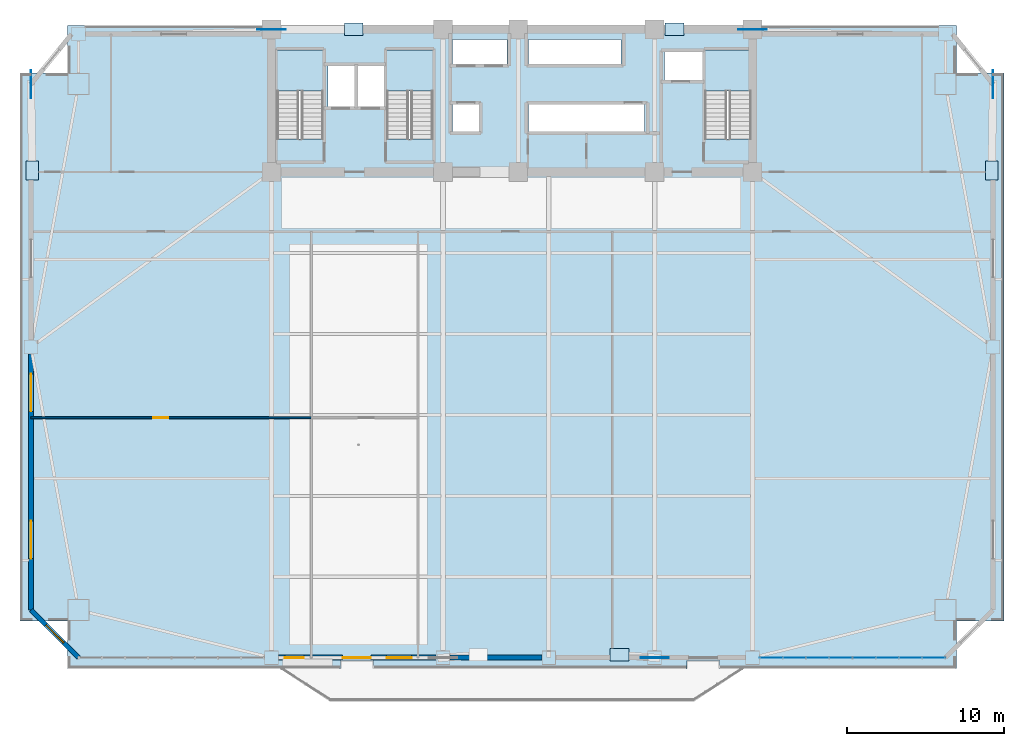
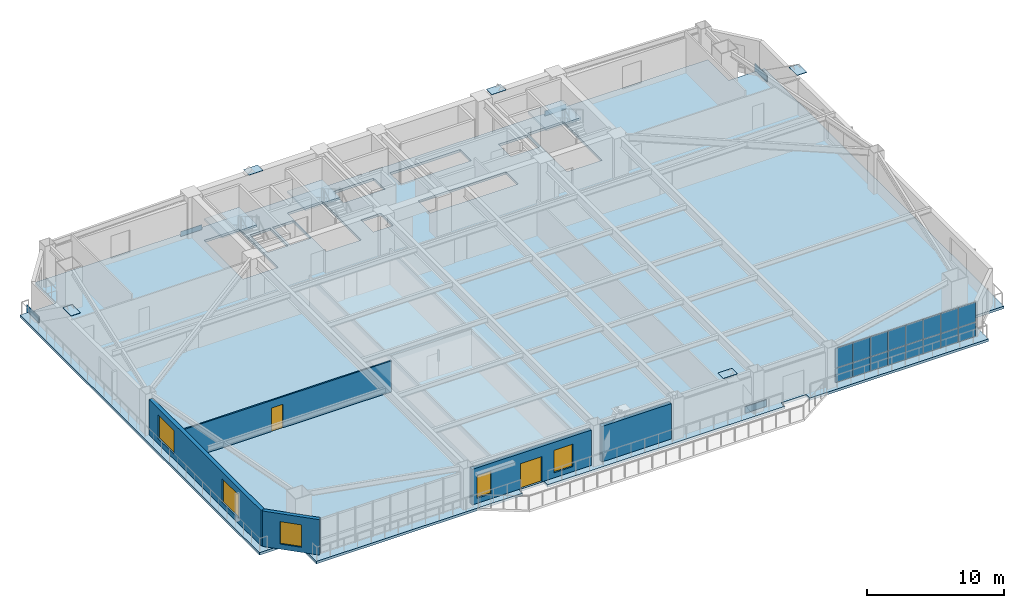
# One storey, part 7 of 15: 26 plates, 5 walls, 5 windows, 4 slabs, 2 doors, 7 openings, 4 elements without a shape of their own.
"""IFC4 building model written with IfcOpenShell, lengths in metres."""

from ifc_helpers import new_model, si_unit, direction, frame, frame_2d, origin, origin_2d, place, context, subcontext, project, spatial, polyline, rectangle, outline, extrude, source, transform, mapped, material, layer, layer_set, type_object, element, fill, aggregate, save


model = new_model("IFC4")

# Units and contexts
model_context = context("Model", 3, precision=1e-05, world=origin(), true_north=direction((0.0, 1.0)))
body_context = subcontext(model_context, "Body", "Model", "MODEL_VIEW")
ifc_project = project(units=[si_unit("LENGTHUNIT", "METRE"), si_unit("AREAUNIT", "SQUARE_METRE"), si_unit("VOLUMEUNIT", "CUBIC_METRE"), si_unit("PLANEANGLEUNIT", "RADIAN"), si_unit("MASSUNIT", "GRAM", prefix="KILO")], contexts=[model_context])

# Site, building, storey
site_placement = place(None, origin())
site = spatial("IfcSite", under=ifc_project, at=site_placement, CompositionType="ELEMENT")
building_placement = place(site_placement, origin())
building = spatial("IfcBuilding", under=site, at=building_placement, Name="Giltprow Tower", CompositionType="ELEMENT")
storey_placement = place(building_placement, frame((0.0, 0.0, 99.699951171875)))
storey = spatial("IfcBuildingStorey", under=building, at=storey_placement, Name="L24", CompositionType="ELEMENT", Elevation=99.699951171875)

# Slab
ifc_material_1 = material(Name="Concrete C40", Category="concrete")
ifc_layer_1 = layer(ifc_material_1, 0.219970703125, Name="Concrete C40")
ifc_layer_set_1 = layer_set([ifc_layer_1], Name="Concrete C40")
slab_type_1 = type_object("IfcSlabType", Name="SLB-OFF-220", PredefinedType="FLOOR", material=ifc_layer_set_1)
slab_1_placement = place(storey_placement, frame((0.0, 0.0, -0.219970703125)))
element("IfcSlab", 1, at=slab_1_placement, inside=storey, type_object=slab_type_1, Name="L24 Structural Composite Floor Slab", PredefinedType="FLOOR", context=body_context, shape_type="SweptSolid", body=[
    extrude(outline(polyline([(6.85302734375, 5.761962890625), (6.85302734375, 8.804931640625), (3.81005859375, 8.804931640625), (3.81005859375, 43.756103515625), (6.85302734375, 43.756103515625), (6.85302734375, 46.799072265625), (63.548095703125, 46.799072265625), (63.548095703125, 43.756103515625), (66.591064453125, 43.756103515625), (66.591064453125, 8.804931640625), (63.548095703125, 8.804931640625), (63.548095703125, 5.761962890625), (48.449951171875, 5.761962890625), (48.449951171875, 6.281982421875), (46.35009765625, 6.281982421875), (46.35009765625, 5.761962890625), (26.35009765625, 5.761962890625), (26.35009765625, 6.281982421875), (24.25, 6.281982421875), (24.25, 5.761962890625), (6.85302734375, 5.761962890625)]), holes=[polyline([(33.10009765625, 41.800048828125), (31.419921875, 41.800048828125), (31.419921875, 40.0), (33.10009765625, 40.0), (33.10009765625, 41.800048828125)]), polyline([(23.159912109375, 39.570068359375), (23.159912109375, 45.25), (20.199951171875, 45.25), (20.199951171875, 39.570068359375), (23.159912109375, 39.570068359375)]), polyline([(30.159912109375, 45.25), (27.199951171875, 45.25), (27.199951171875, 39.570068359375), (30.159912109375, 39.570068359375), (30.159912109375, 45.25)]), polyline([(25.169921875, 41.60009765625), (25.169921875, 44.199951171875), (23.449951171875, 44.199951171875), (23.449951171875, 41.60009765625), (25.169921875, 41.60009765625)]), polyline([(27.10009765625, 41.60009765625), (27.10009765625, 44.199951171875), (25.35009765625, 44.199951171875), (25.35009765625, 41.60009765625), (27.10009765625, 41.60009765625)]), polyline([(43.659912109375, 40.0), (43.659912109375, 41.800048828125), (36.239990234375, 41.800048828125), (36.239990234375, 40.0), (43.659912109375, 40.0)]), polyline([(50.4599609375, 39.570068359375), (50.4599609375, 45.25), (47.5, 45.25), (47.5, 39.570068359375), (50.4599609375, 39.570068359375)]), polyline([(47.3798828125, 45.10009765625), (44.919921875, 45.10009765625), (44.919921875, 43.300048828125), (47.3798828125, 43.300048828125), (47.3798828125, 45.10009765625)]), polyline([(34.8798828125, 44.300048828125), (34.8798828125, 45.919921875), (31.419921875, 45.919921875), (31.419921875, 44.300048828125), (34.8798828125, 44.300048828125)]), polyline([(42.169921875, 44.300048828125), (42.169921875, 45.919921875), (36.239990234375, 45.919921875), (36.239990234375, 44.300048828125), (42.169921875, 44.300048828125)])]), origin(), (0.0, 0.0, 1.0), 0.219970703125),
])

# Stair, slab
stair_type_1 = type_object("IfcStairType", Name="STR-ST-1", PredefinedType="HALF_TURN_STAIR", material=ifc_material_1)
stair_1_placement = place(storey_placement, origin())
stair_1 = element("IfcStair", 2, at=stair_1_placement, inside=storey, type_object=stair_type_1, Name="L24 Core Exit Stair ST-1", PredefinedType="HALF_TURN_STAIR")
ifc_layer_2 = layer(ifc_material_1, 0.179931640625, Name="Concrete C40")
ifc_layer_set_2 = layer_set([ifc_layer_2], Name="Concrete C40")
slab_type_2 = type_object("IfcSlabType", Name="SLD-ST-1", PredefinedType="LANDING", material=ifc_layer_set_2)
slab_2_placement = place(storey_placement, frame((0.0, 0.0, 1.77001953125)))
slab_2 = element("IfcSlab", 3, at=slab_2_placement, type_object=slab_type_2, Name="ST-1 landing 1", PredefinedType="LANDING", context=body_context, shape_type="SweptSolid", body=[
    extrude(outline(polyline([(23.159912109375, 42.6298828125), (23.159912109375, 45.25), (20.199951171875, 45.25), (20.199951171875, 42.6298828125), (23.159912109375, 42.6298828125)])), origin(), (0.0, 0.0, 1.0), 0.179931640625),
])
aggregate(stair_1, [slab_2])

stair_type_2 = type_object("IfcStairType", Name="STR-ST-2", PredefinedType="HALF_TURN_STAIR", material=ifc_material_1)
stair_2_placement = place(storey_placement, origin())
stair_2 = element("IfcStair", 4, at=stair_2_placement, inside=storey, type_object=stair_type_2, Name="L24 Core Exit Stair ST-2", PredefinedType="HALF_TURN_STAIR")
ifc_layer_3 = layer(ifc_material_1, 0.18798828125, Name="Concrete C40")
ifc_layer_set_3 = layer_set([ifc_layer_3], Name="Concrete C40")
slab_type_3 = type_object("IfcSlabType", Name="SLD-ST-2", PredefinedType="LANDING", material=ifc_layer_set_3)
slab_3_placement = place(storey_placement, frame((0.0, 0.0, 1.761962890625)))
slab_3 = element("IfcSlab", 5, at=slab_3_placement, type_object=slab_type_3, Name="ST-2 landing 1", PredefinedType="LANDING", context=body_context, shape_type="SweptSolid", body=[
    extrude(outline(polyline([(30.159912109375, 42.6298828125), (30.159912109375, 45.25), (27.199951171875, 45.25), (27.199951171875, 42.6298828125), (30.159912109375, 42.6298828125)])), origin(), (0.0, 0.0, 1.0), 0.18798828125),
])
aggregate(stair_2, [slab_3])

stair_type_3 = type_object("IfcStairType", Name="STR-ST-3", PredefinedType="HALF_TURN_STAIR", material=ifc_material_1)
stair_3_placement = place(storey_placement, origin())
stair_3 = element("IfcStair", 6, at=stair_3_placement, inside=storey, type_object=stair_type_3, Name="L24 Core Exit Stair ST-3", PredefinedType="HALF_TURN_STAIR")
ifc_layer_4 = layer(ifc_material_1, 0.196044921875, Name="Concrete C40")
ifc_layer_set_4 = layer_set([ifc_layer_4], Name="Concrete C40")
slab_type_4 = type_object("IfcSlabType", Name="SLD-ST-3", PredefinedType="LANDING", material=ifc_layer_set_4)
slab_4_placement = place(storey_placement, frame((0.0, 0.0, 1.754150390625)))
slab_4 = element("IfcSlab", 7, at=slab_4_placement, type_object=slab_type_4, Name="ST-3 landing 1", PredefinedType="LANDING", context=body_context, shape_type="SweptSolid", body=[
    extrude(outline(polyline([(50.4599609375, 42.6298828125), (50.4599609375, 45.25), (47.5, 45.25), (47.5, 42.6298828125), (50.4599609375, 42.6298828125)])), origin(), (0.0, 0.0, 1.0), 0.19580078125),
])
aggregate(stair_3, [slab_4])

# Plates
ifc_material_2 = material(Name="Structural steel Q420GJC", Category="steel")
plate_type_1 = type_object("IfcPlateType", Name="PLT-NODE-MBN1", PredefinedType="USERDEFINED", material=ifc_material_2)
shared_shape_1 = source(origin(), body_context, "Body", "SweptSolid", [
    extrude(rectangle(XDim=1.800048828125, YDim=0.050048828125, at=origin_2d()), origin(), (0.0, 0.0, 1.0), 1.14990234375),
])
for number, where, z_axis, x_axis, name in (
    (8, (44.300048828125, 6.4619140625, -0.574951171875), (0.0, 0.0, 1.0), (1.0, 0.0, 0.0), "Mega-Brace Node L24-S-RA"),
    (9, (19.85009765625, 46.550048828125, -0.71484375), (0.0, 0.0, 1.0), (1.0, 0.0, 0.0), "Mega-Brace Node L24-N-LA"),
    (10, (50.550048828125, 46.550048828125, -0.71484375), (0.0, 0.0, 1.0), (1.0, 0.0, 0.0), "Mega-Brace Node L24-N-RA"),
    (11, (4.510009765625, 43.055908203125, -0.574951171875), (0.0, 0.0, 1.0), (0.0, 1.0, 0.0), "Mega-Brace Node L24-W-RA"),
    (12, (65.89111328125, 43.055908203125, -0.574951171875), (0.0, 0.0, 1.0), (0.0, 1.0, 0.0), "Mega-Brace Node L24-E-RA"),
):
    element("IfcPlate", number, at=place(storey_placement, frame(where, z_axis=z_axis, x_axis=x_axis)), inside=storey, type_object=plate_type_1, Name=name, ObjectType="GUSSET", PredefinedType="USERDEFINED", context=body_context, shape_type="MappedRepresentation", body=[
        mapped(shared_shape_1, transform((0.0, 0.0, 0.0), x_axis=(1.0, 0.0, 0.0), y_axis=(0.0, 1.0, 0.0), z_axis=(0.0, 0.0, 1.0), scale=1.0)),
    ])
plate_type_2 = type_object("IfcPlateType", Name="PLT-CAP-SEAL", PredefinedType="USERDEFINED", material=ifc_material_2)
shared_shape_2 = source(origin(), body_context, "Body", "SweptSolid", [
    extrude(rectangle(XDim=1.199951171875, YDim=0.800048828125, at=origin_2d()), origin(), (0.0, 0.0, 1.0), 0.034912109375),
])
for number, where, z_axis, x_axis, name in (
    (13, (42.050048828125, 6.637939453125, 3.8828125), (0.0, 0.0, 1.0), (1.0, 0.0, 0.0), "Mega-Brace Node L24-S-RB"),
    (14, (25.10009765625, 46.550048828125, 3.74267578125), (0.0, 0.0, 1.0), (1.0, 0.0, 0.0), "Mega-Brace Node L24-N-LB"),
    (15, (45.56689453125, 46.550048828125, 3.74267578125), (0.0, 0.0, 1.0), (1.0, 0.0, 0.0), "Mega-Brace Node L24-N-RB"),
    (16, (4.587890625, 37.552001953125, 3.8828125), (0.0, 0.0, 1.0), (0.0, 1.0, 0.0), "Mega-Brace Node L24-W-RB"),
    (17, (65.81298828125, 37.552001953125, 3.8828125), (0.0, 0.0, 1.0), (0.0, 1.0, 0.0), "Mega-Brace Node L24-E-RB"),
):
    element("IfcPlate", number, at=place(storey_placement, frame(where, z_axis=z_axis, x_axis=x_axis)), inside=storey, type_object=plate_type_2, Name=name, ObjectType="SPLICE", PredefinedType="USERDEFINED", context=body_context, shape_type="MappedRepresentation", body=[
        mapped(shared_shape_2, transform((0.0, 0.0, 0.0), x_axis=(1.0, 0.0, 0.0), y_axis=(0.0, 1.0, 0.0), z_axis=(0.0, 0.0, 1.0), scale=1.0)),
    ])

# Curtain wall, plates
ifc_material_3 = material(Name="Anodized bronze", Category="metal")
ifc_layer_5 = layer(ifc_material_3, 0.179931640625, Name="Anodized bronze")
ifc_layer_set_5 = layer_set([ifc_layer_5], Name="Anodized bronze")
curtain_wall_type = type_object("IfcCurtainWallType", Name="CW-OFF-RECESSED", PredefinedType="NOTDEFINED", material=ifc_layer_set_5)
curtain_wall_placement = place(storey_placement, origin())
curtain_wall = element("IfcCurtainWall", 18, at=curtain_wall_placement, inside=storey, type_object=curtain_wall_type, Name="L24 South Recessed Curtain Wall 6", PredefinedType="NOTDEFINED")
ifc_material_4 = material(Name="Insulated glass", Category="glass")
plate_type_3 = type_object("IfcPlateType", Name="CW-PANEL-IGU-28", PredefinedType="CURTAIN_PANEL", material=ifc_material_4)
shared_shape_3 = source(origin(), body_context, "Body", "SweptSolid", [
    extrude(rectangle(XDim=1.450927734375, YDim=0.028076171875, at=origin_2d()), origin(), (0.0, 0.0, 1.0), 1.259033203125),
])
plate_1_placement = place(storey_placement, frame((51.739990234375, 6.4619140625, 0.0537109375), z_axis=(0.0, 0.0, 1.0), x_axis=(1.0, 0.0, 0.0)))
plate_1 = element("IfcPlate", 19, at=plate_1_placement, type_object=plate_type_3, Name="L24 South Recessed Curtain Wall 6 Glazing Panel 1-1", PredefinedType="CURTAIN_PANEL", context=body_context, shape_type="MappedRepresentation", body=[
    mapped(shared_shape_3, transform((0.0, 0.0, 0.0), x_axis=(1.0, 0.0, 0.0), y_axis=(0.0, 1.0, 0.0), z_axis=(0.0, 0.0, 1.0), scale=1.0)),
])
plate_2_placement = place(storey_placement, frame((53.220947265625, 6.4619140625, 0.0537109375), z_axis=(0.0, 0.0, 1.0), x_axis=(1.0, 0.0, 0.0)))
plate_2 = element("IfcPlate", 20, at=plate_2_placement, type_object=plate_type_3, Name="L24 South Recessed Curtain Wall 6 Glazing Panel 2-1", PredefinedType="CURTAIN_PANEL", context=body_context, shape_type="MappedRepresentation", body=[
    mapped(shared_shape_3, transform((0.0, 0.0, 0.0), x_axis=(1.0, 0.0, 0.0), y_axis=(0.0, 1.0, 0.0), z_axis=(0.0, 0.0, 1.0), scale=1.0)),
])
plate_3_placement = place(storey_placement, frame((54.702880859375, 6.4619140625, 0.0537109375), z_axis=(0.0, 0.0, 1.0), x_axis=(1.0, 0.0, 0.0)))
plate_3 = element("IfcPlate", 21, at=plate_3_placement, type_object=plate_type_3, Name="L24 South Recessed Curtain Wall 6 Glazing Panel 3-1", PredefinedType="CURTAIN_PANEL", context=body_context, shape_type="MappedRepresentation", body=[
    mapped(shared_shape_3, transform((0.0, 0.0, 0.0), x_axis=(1.0, 0.0, 0.0), y_axis=(0.0, 1.0, 0.0), z_axis=(0.0, 0.0, 1.0), scale=1.0)),
])
plate_4_placement = place(storey_placement, frame((56.18408203125, 6.4619140625, 0.0537109375), z_axis=(0.0, 0.0, 1.0), x_axis=(1.0, 0.0, 0.0)))
plate_4 = element("IfcPlate", 22, at=plate_4_placement, type_object=plate_type_3, Name="L24 South Recessed Curtain Wall 6 Glazing Panel 4-1", PredefinedType="CURTAIN_PANEL", context=body_context, shape_type="MappedRepresentation", body=[
    mapped(shared_shape_3, transform((0.0, 0.0, 0.0), x_axis=(1.0, 0.0, 0.0), y_axis=(0.0, 1.0, 0.0), z_axis=(0.0, 0.0, 1.0), scale=1.0)),
])
plate_5_placement = place(storey_placement, frame((57.6640625, 6.4619140625, 0.0537109375), z_axis=(0.0, 0.0, 1.0), x_axis=(1.0, 0.0, 0.0)))
plate_5 = element("IfcPlate", 23, at=plate_5_placement, type_object=plate_type_3, Name="L24 South Recessed Curtain Wall 6 Glazing Panel 5-1", PredefinedType="CURTAIN_PANEL", context=body_context, shape_type="MappedRepresentation", body=[
    mapped(shared_shape_3, transform((0.0, 0.0, 0.0), x_axis=(1.0, 0.0, 0.0), y_axis=(0.0, 1.0, 0.0), z_axis=(0.0, 0.0, 1.0), scale=1.0)),
])
plate_6_placement = place(storey_placement, frame((59.14501953125, 6.4619140625, 0.0537109375), z_axis=(0.0, 0.0, 1.0), x_axis=(1.0, 0.0, 0.0)))
plate_6 = element("IfcPlate", 24, at=plate_6_placement, type_object=plate_type_3, Name="L24 South Recessed Curtain Wall 6 Glazing Panel 6-1", PredefinedType="CURTAIN_PANEL", context=body_context, shape_type="MappedRepresentation", body=[
    mapped(shared_shape_3, transform((0.0, 0.0, 0.0), x_axis=(1.0, 0.0, 0.0), y_axis=(0.0, 1.0, 0.0), z_axis=(0.0, 0.0, 1.0), scale=1.0)),
])
plate_7_placement = place(storey_placement, frame((60.626953125, 6.4619140625, 0.0537109375), z_axis=(0.0, 0.0, 1.0), x_axis=(1.0, 0.0, 0.0)))
plate_7 = element("IfcPlate", 25, at=plate_7_placement, type_object=plate_type_3, Name="L24 South Recessed Curtain Wall 6 Glazing Panel 7-1", PredefinedType="CURTAIN_PANEL", context=body_context, shape_type="MappedRepresentation", body=[
    mapped(shared_shape_3, transform((0.0, 0.0, 0.0), x_axis=(1.0, 0.0, 0.0), y_axis=(0.0, 1.0, 0.0), z_axis=(0.0, 0.0, 1.0), scale=1.0)),
])
plate_8_placement = place(storey_placement, frame((62.10791015625, 6.4619140625, 0.0537109375), z_axis=(0.0, 0.0, 1.0), x_axis=(1.0, 0.0, 0.0)))
plate_8 = element("IfcPlate", 26, at=plate_8_placement, type_object=plate_type_3, Name="L24 South Recessed Curtain Wall 6 Glazing Panel 8-1", PredefinedType="CURTAIN_PANEL", context=body_context, shape_type="MappedRepresentation", body=[
    mapped(shared_shape_3, transform((0.0, 0.0, 0.0), x_axis=(1.0, 0.0, 0.0), y_axis=(0.0, 1.0, 0.0), z_axis=(0.0, 0.0, 1.0), scale=1.0)),
])
shared_shape_4 = source(origin(), body_context, "Body", "SweptSolid", [
    extrude(rectangle(XDim=1.450927734375, YDim=0.028076171875, at=origin_2d()), origin(), (0.0, 0.0, 1.0), 1.764892578125),
])
plate_9_placement = place(storey_placement, frame((51.739990234375, 6.4619140625, 1.3408203125), z_axis=(0.0, 0.0, 1.0), x_axis=(1.0, 0.0, 0.0)))
plate_9 = element("IfcPlate", 27, at=plate_9_placement, type_object=plate_type_3, Name="L24 South Recessed Curtain Wall 6 Glazing Panel 1-2", PredefinedType="CURTAIN_PANEL", context=body_context, shape_type="MappedRepresentation", body=[
    mapped(shared_shape_4, transform((0.0, 0.0, 0.0), x_axis=(1.0, 0.0, 0.0), y_axis=(0.0, 1.0, 0.0), z_axis=(0.0, 0.0, 1.0), scale=1.0)),
])
plate_10_placement = place(storey_placement, frame((53.220947265625, 6.4619140625, 1.3408203125), z_axis=(0.0, 0.0, 1.0), x_axis=(1.0, 0.0, 0.0)))
plate_10 = element("IfcPlate", 28, at=plate_10_placement, type_object=plate_type_3, Name="L24 South Recessed Curtain Wall 6 Glazing Panel 2-2", PredefinedType="CURTAIN_PANEL", context=body_context, shape_type="MappedRepresentation", body=[
    mapped(shared_shape_4, transform((0.0, 0.0, 0.0), x_axis=(1.0, 0.0, 0.0), y_axis=(0.0, 1.0, 0.0), z_axis=(0.0, 0.0, 1.0), scale=1.0)),
])
plate_11_placement = place(storey_placement, frame((54.702880859375, 6.4619140625, 1.3408203125), z_axis=(0.0, 0.0, 1.0), x_axis=(1.0, 0.0, 0.0)))
plate_11 = element("IfcPlate", 29, at=plate_11_placement, type_object=plate_type_3, Name="L24 South Recessed Curtain Wall 6 Glazing Panel 3-2", PredefinedType="CURTAIN_PANEL", context=body_context, shape_type="MappedRepresentation", body=[
    mapped(shared_shape_4, transform((0.0, 0.0, 0.0), x_axis=(1.0, 0.0, 0.0), y_axis=(0.0, 1.0, 0.0), z_axis=(0.0, 0.0, 1.0), scale=1.0)),
])
plate_12_placement = place(storey_placement, frame((56.18408203125, 6.4619140625, 1.3408203125), z_axis=(0.0, 0.0, 1.0), x_axis=(1.0, 0.0, 0.0)))
plate_12 = element("IfcPlate", 30, at=plate_12_placement, type_object=plate_type_3, Name="L24 South Recessed Curtain Wall 6 Glazing Panel 4-2", PredefinedType="CURTAIN_PANEL", context=body_context, shape_type="MappedRepresentation", body=[
    mapped(shared_shape_4, transform((0.0, 0.0, 0.0), x_axis=(1.0, 0.0, 0.0), y_axis=(0.0, 1.0, 0.0), z_axis=(0.0, 0.0, 1.0), scale=1.0)),
])
plate_13_placement = place(storey_placement, frame((57.6640625, 6.4619140625, 1.3408203125), z_axis=(0.0, 0.0, 1.0), x_axis=(1.0, 0.0, 0.0)))
plate_13 = element("IfcPlate", 31, at=plate_13_placement, type_object=plate_type_3, Name="L24 South Recessed Curtain Wall 6 Glazing Panel 5-2", PredefinedType="CURTAIN_PANEL", context=body_context, shape_type="MappedRepresentation", body=[
    mapped(shared_shape_4, transform((0.0, 0.0, 0.0), x_axis=(1.0, 0.0, 0.0), y_axis=(0.0, 1.0, 0.0), z_axis=(0.0, 0.0, 1.0), scale=1.0)),
])
plate_14_placement = place(storey_placement, frame((59.14501953125, 6.4619140625, 1.3408203125), z_axis=(0.0, 0.0, 1.0), x_axis=(1.0, 0.0, 0.0)))
plate_14 = element("IfcPlate", 32, at=plate_14_placement, type_object=plate_type_3, Name="L24 South Recessed Curtain Wall 6 Glazing Panel 6-2", PredefinedType="CURTAIN_PANEL", context=body_context, shape_type="MappedRepresentation", body=[
    mapped(shared_shape_4, transform((0.0, 0.0, 0.0), x_axis=(1.0, 0.0, 0.0), y_axis=(0.0, 1.0, 0.0), z_axis=(0.0, 0.0, 1.0), scale=1.0)),
])
plate_15_placement = place(storey_placement, frame((60.626953125, 6.4619140625, 1.3408203125), z_axis=(0.0, 0.0, 1.0), x_axis=(1.0, 0.0, 0.0)))
plate_15 = element("IfcPlate", 33, at=plate_15_placement, type_object=plate_type_3, Name="L24 South Recessed Curtain Wall 6 Glazing Panel 7-2", PredefinedType="CURTAIN_PANEL", context=body_context, shape_type="MappedRepresentation", body=[
    mapped(shared_shape_4, transform((0.0, 0.0, 0.0), x_axis=(1.0, 0.0, 0.0), y_axis=(0.0, 1.0, 0.0), z_axis=(0.0, 0.0, 1.0), scale=1.0)),
])
plate_16_placement = place(storey_placement, frame((62.10791015625, 6.4619140625, 1.3408203125), z_axis=(0.0, 0.0, 1.0), x_axis=(1.0, 0.0, 0.0)))
plate_16 = element("IfcPlate", 34, at=plate_16_placement, type_object=plate_type_3, Name="L24 South Recessed Curtain Wall 6 Glazing Panel 8-2", PredefinedType="CURTAIN_PANEL", context=body_context, shape_type="MappedRepresentation", body=[
    mapped(shared_shape_4, transform((0.0, 0.0, 0.0), x_axis=(1.0, 0.0, 0.0), y_axis=(0.0, 1.0, 0.0), z_axis=(0.0, 0.0, 1.0), scale=1.0)),
])
aggregate(curtain_wall, [plate_1, plate_9, plate_2, plate_10, plate_3, plate_11, plate_4, plate_12, plate_5, plate_13, plate_6, plate_14, plate_7, plate_15, plate_8, plate_16])

# Wall, opening, window
ifc_material_5 = material(Name="Precast concrete C40", Category="concrete")
ifc_layer_6 = layer(ifc_material_5, 0.300048828125, Name="Precast concrete C40")
ifc_layer_set_6 = layer_set([ifc_layer_6], Name="Precast concrete C40")
wall_type_1 = type_object("IfcWallType", Name="EW-NOTCH-CHAMFER-300", PredefinedType="SOLIDWALL", material=ifc_layer_set_6)
wall_1_placement = place(storey_placement, frame((4.510009765625, 9.5048828125, 0.0), z_axis=(0.0, 0.0, 1.0), x_axis=(0.707106781187, -0.707106781187, 0.0)))
wall_1 = element("IfcWall", 35, at=wall_1_placement, inside=storey, type_object=wall_type_1, Name="L24 Corner Notch Wall SW", PredefinedType="SOLIDWALL", context=body_context, shape_type="SweptSolid", body=[
    extrude(rectangle(XDim=4.303466796875, YDim=0.300048828125, at=frame_2d((2.15185546875, 0.0))), origin(), (0.0, 0.0, 1.0), 3.16015625),
])
opening_1_placement = place(wall_1_placement, frame((1.35205078125, 0.0, 0.449951171875)))
opening_1 = element("IfcOpeningElement", 36, at=opening_1_placement, cuts=wall_1, Name="Opening WN17", PredefinedType="OPENING", context=body_context, shape_type="SweptSolid", body=[
    extrude(rectangle(XDim=1.60009765625, YDim=2.0, at=frame_2d((0.800048828125, 1.0))), frame((0.0, 0.159912109375, 0.0), z_axis=(0.0, -1.0, 0.0), x_axis=(1.0, 0.0, 0.0)), (0.0, 0.0, 1.0), 0.320068359375),
])
window_type_1 = type_object("IfcWindowType", Name="WN-COR-1600x2000", PartitioningType="SINGLE_PANEL", PredefinedType="WINDOW", material=ifc_material_4)
shared_shape_5 = source(origin(), body_context, "Body", "SweptSolid", [
    extrude(rectangle(XDim=1.60009765625, YDim=2.0, at=frame_2d((0.800048828125, 1.0))), frame((0.0, 0.030029296875, 0.0), z_axis=(0.0, -1.0, 0.0), x_axis=(1.0, 0.0, 0.0)), (0.0, 0.0, 1.0), 0.06005859375),
])
window_1_placement = place(opening_1_placement, origin())
window_1 = element("IfcWindow", 37, at=window_1_placement, inside=storey, type_object=window_type_1, Name="L24 Corner Notch Window SW", OverallHeight=2.0, OverallWidth=1.60009765625, PartitioningType="SINGLE_PANEL", PredefinedType="WINDOW", context=body_context, shape_type="MappedRepresentation", body=[
    mapped(shared_shape_5, transform((0.0, 0.0, 0.0), x_axis=(1.0, 0.0, 0.0), y_axis=(0.0, 1.0, 0.0), z_axis=(0.0, 0.0, 1.0), scale=1.0)),
])
fill(opening_1, window_1)

# Wall, openings, windows, door
ifc_layer_7 = layer(ifc_material_5, 0.320068359375, Name="Precast concrete C40")
ifc_layer_set_7 = layer_set([ifc_layer_7], Name="Precast concrete C40")
wall_type_2 = type_object("IfcWallType", Name="EW-TOW-STONE-320", PredefinedType="SOLIDWALL", material=ifc_layer_set_7)
wall_2_placement = place(storey_placement, frame((20.300048828125, 6.4619140625, 0.0), z_axis=(0.0, 0.0, 1.0), x_axis=(1.0, 0.0, 0.0)))
wall_2 = element("IfcWall", 38, at=wall_2_placement, inside=storey, type_object=wall_type_2, Name="L24 South Expressed Frame Wall 2", PredefinedType="SOLIDWALL", context=body_context, shape_type="SweptSolid", body=[
    extrude(rectangle(XDim=10.050048828125, YDim=0.320068359375, at=frame_2d((5.02490234375, 0.0))), origin(), (0.0, 0.0, 1.0), 3.16015625),
])
opening_2_placement = place(wall_2_placement, frame((4.10009765625, 0.0, 0.0)))
opening_2 = element("IfcOpeningElement", 39, at=opening_2_placement, cuts=wall_2, Name="Opening ED25", PredefinedType="OPENING", context=body_context, shape_type="SweptSolid", body=[
    extrude(rectangle(XDim=1.800048828125, YDim=2.25, at=frame_2d((0.89990234375, 1.125))), frame((0.0, 0.169921875, 0.0), z_axis=(0.0, -1.0, 0.0), x_axis=(1.0, 0.0, 0.0)), (0.0, 0.0, 1.0), 0.340087890625),
])
opening_3_placement = place(wall_2_placement, frame((0.4150390625, 0.0, 0.449951171875)))
opening_3 = element("IfcOpeningElement", 40, at=opening_3_placement, cuts=wall_2, Name="Opening WN11", PredefinedType="OPENING", context=body_context, shape_type="SweptSolid", body=[
    extrude(rectangle(XDim=1.199951171875, YDim=2.0, at=frame_2d((0.60009765625, 1.0))), frame((0.0, 0.169921875, 0.0), z_axis=(0.0, -1.0, 0.0), x_axis=(1.0, 0.0, 0.0)), (0.0, 0.0, 1.0), 0.340087890625),
])
opening_4_placement = place(wall_2_placement, frame((6.89990234375, 0.0, 0.449951171875)))
opening_4 = element("IfcOpeningElement", 41, at=opening_4_placement, cuts=wall_2, Name="Opening WN17", PredefinedType="OPENING", context=body_context, shape_type="SweptSolid", body=[
    extrude(rectangle(XDim=1.60009765625, YDim=2.0, at=frame_2d((0.800048828125, 1.0))), frame((0.0, 0.169921875, 0.0), z_axis=(0.0, -1.0, 0.0), x_axis=(1.0, 0.0, 0.0)), (0.0, 0.0, 1.0), 0.340087890625),
])
window_2_placement = place(opening_4_placement, origin())
window_2 = element("IfcWindow", 42, at=window_2_placement, inside=storey, type_object=window_type_1, Name="L24 South Window 2B", OverallHeight=2.0, OverallWidth=1.60009765625, PartitioningType="SINGLE_PANEL", PredefinedType="WINDOW", context=body_context, shape_type="MappedRepresentation", body=[
    mapped(shared_shape_5, transform((0.0, 0.0, 0.0), x_axis=(1.0, 0.0, 0.0), y_axis=(0.0, 1.0, 0.0), z_axis=(0.0, 0.0, 1.0), scale=1.0)),
])
fill(opening_4, window_2)
ifc_material_6 = material(Name="Anodized bronze and glass", Category="glass")
door_type_1 = type_object("IfcDoorType", Name="DR-BALC-SLIDE-1800", OperationType="SLIDING_TO_LEFT", PredefinedType="DOOR", material=ifc_material_6)
shared_shape_6 = source(origin(), body_context, "Body", "SweptSolid", [
    extrude(rectangle(XDim=1.800048828125, YDim=2.25, at=frame_2d((0.89990234375, 1.125))), frame((0.0, 0.02490234375, 0.0), z_axis=(0.0, -1.0, 0.0), x_axis=(1.0, 0.0, 0.0)), (0.0, 0.0, 1.0), 0.050048828125),
])
door_1_placement = place(opening_2_placement, origin())
door_1 = element("IfcDoor", 43, at=door_1_placement, inside=storey, type_object=door_type_1, Name="L24 Waterfront Balcony Sliding Door 1", OperationType="SLIDING_TO_LEFT", OverallHeight=2.25, OverallWidth=1.800048828125, PredefinedType="DOOR", context=body_context, shape_type="MappedRepresentation", body=[
    mapped(shared_shape_6, transform((0.0, 0.0, 0.0), x_axis=(1.0, 0.0, 0.0), y_axis=(0.0, 1.0, 0.0), z_axis=(0.0, 0.0, 1.0), scale=1.0)),
])
fill(opening_2, door_1)
window_type_2 = type_object("IfcWindowType", Name="WN-LANCET-1200x2000", PartitioningType="SINGLE_PANEL", PredefinedType="WINDOW", material=ifc_material_4)
shared_shape_7 = source(origin(), body_context, "Body", "SweptSolid", [
    extrude(rectangle(XDim=1.199951171875, YDim=2.0, at=frame_2d((0.60009765625, 1.0))), frame((0.0, 0.030029296875, 0.0), z_axis=(0.0, -1.0, 0.0), x_axis=(1.0, 0.0, 0.0)), (0.0, 0.0, 1.0), 0.06005859375),
])
window_3_placement = place(opening_3_placement, origin())
window_3 = element("IfcWindow", 44, at=window_3_placement, inside=storey, type_object=window_type_2, Name="L24 South Window 2A", OverallHeight=2.0, OverallWidth=1.199951171875, PartitioningType="SINGLE_PANEL", PredefinedType="WINDOW", context=body_context, shape_type="MappedRepresentation", body=[
    mapped(shared_shape_7, transform((0.0, 0.0, 0.0), x_axis=(1.0, 0.0, 0.0), y_axis=(0.0, 1.0, 0.0), z_axis=(0.0, 0.0, 1.0), scale=1.0)),
])
fill(opening_3, window_3)

# Wall
wall_3_placement = place(storey_placement, frame((31.25, 6.4619140625, 0.0), z_axis=(0.0, 0.0, 1.0), x_axis=(1.0, 0.0, 0.0)))
element("IfcWall", 45, at=wall_3_placement, inside=storey, type_object=wall_type_2, Name="L24 South Expressed Frame Wall 3", PredefinedType="SOLIDWALL", context=body_context, shape_type="SweptSolid", body=[
    extrude(rectangle(XDim=5.85009765625, YDim=0.320068359375, at=frame_2d((2.925048828125, 0.0))), origin(), (0.0, 0.0, 1.0), 3.16015625),
])

# Wall, openings, windows
wall_4_placement = place(storey_placement, frame((4.510009765625, 9.5048828125, 0.0), z_axis=(0.0, 0.0, 1.0), x_axis=(0.0, 1.0, 0.0)))
wall_4 = element("IfcWall", 46, at=wall_4_placement, inside=storey, type_object=wall_type_2, Name="L24 W Wing Masonry Wall 1", PredefinedType="SOLIDWALL", context=body_context, shape_type="SweptSolid", body=[
    extrude(rectangle(XDim=16.3251953125, YDim=0.320068359375, at=frame_2d((8.16259765625, 0.0))), origin(), (0.0, 0.0, 1.0), 3.16015625),
])
opening_5_placement = place(wall_4_placement, frame((3.284912109375, 0.0, 0.449951171875)))
opening_5 = element("IfcOpeningElement", 47, at=opening_5_placement, cuts=wall_4, Name="Opening WN29", PredefinedType="OPENING", context=body_context, shape_type="SweptSolid", body=[
    extrude(rectangle(XDim=2.39990234375, YDim=2.10009765625, at=frame_2d((1.199951171875, 1.050048828125))), frame((0.0, 0.169921875, 0.0), z_axis=(0.0, -1.0, 0.0), x_axis=(1.0, 0.0, 0.0)), (0.0, 0.0, 1.0), 0.340087890625),
])
opening_6_placement = place(wall_4_placement, frame((12.669921875, 0.0, 0.449951171875)))
opening_6 = element("IfcOpeningElement", 48, at=opening_6_placement, cuts=wall_4, Name="Opening WN29", PredefinedType="OPENING", context=body_context, shape_type="SweptSolid", body=[
    extrude(rectangle(XDim=2.39990234375, YDim=2.10009765625, at=frame_2d((1.199951171875, 1.050048828125))), frame((0.0, 0.169921875, 0.0), z_axis=(0.0, -1.0, 0.0), x_axis=(1.0, 0.0, 0.0)), (0.0, 0.0, 1.0), 0.340087890625),
])
window_type_3 = type_object("IfcWindowType", Name="WN-OFF-2400x2100", PartitioningType="DOUBLE_PANEL_VERTICAL", PredefinedType="WINDOW", material=ifc_material_4)
shared_shape_8 = source(origin(), body_context, "Body", "SweptSolid", [
    extrude(rectangle(XDim=2.39990234375, YDim=2.10009765625, at=frame_2d((1.199951171875, 1.050048828125))), frame((0.0, 0.030029296875, 0.0), z_axis=(0.0, -1.0, 0.0), x_axis=(1.0, 0.0, 0.0)), (0.0, 0.0, 1.0), 0.06005859375),
])
window_4_placement = place(opening_5_placement, origin())
window_4 = element("IfcWindow", 49, at=window_4_placement, inside=storey, type_object=window_type_3, Name="L24 W Wing Window 1-1A", OverallHeight=2.10009765625, OverallWidth=2.39990234375, PartitioningType="SINGLE_PANEL", PredefinedType="WINDOW", context=body_context, shape_type="MappedRepresentation", body=[
    mapped(shared_shape_8, transform((0.0, 0.0, 0.0), x_axis=(1.0, 0.0, 0.0), y_axis=(0.0, 1.0, 0.0), z_axis=(0.0, 0.0, 1.0), scale=1.0)),
])
fill(opening_5, window_4)
window_5_placement = place(opening_6_placement, origin())
window_5 = element("IfcWindow", 50, at=window_5_placement, inside=storey, type_object=window_type_3, Name="L24 W Wing Window 1-1B", OverallHeight=2.10009765625, OverallWidth=2.39990234375, PartitioningType="SINGLE_PANEL", PredefinedType="WINDOW", context=body_context, shape_type="MappedRepresentation", body=[
    mapped(shared_shape_8, transform((0.0, 0.0, 0.0), x_axis=(1.0, 0.0, 0.0), y_axis=(0.0, 1.0, 0.0), z_axis=(0.0, 0.0, 1.0), scale=1.0)),
])
fill(opening_6, window_5)

# Wall, opening, door
ifc_material_7 = material(Name="Gypsum stud partition", Category="gypsum")
ifc_layer_8 = layer(ifc_material_7, 0.1201171875, Name="Gypsum stud partition")
ifc_layer_set_8 = layer_set([ifc_layer_8], Name="Gypsum stud partition")
wall_type_3 = type_object("IfcWallType", Name="IW-ROOM-120", PredefinedType="PARTITIONING", material=ifc_layer_set_8)
wall_5_placement = place(storey_placement, frame((4.510009765625, 21.77490234375, 0.0), z_axis=(0.0, 0.0, 1.0), x_axis=(1.0, 0.0, 0.0)))
wall_5 = element("IfcWall", 51, at=wall_5_placement, inside=storey, type_object=wall_type_3, Name="L24 Office Mid Wall 1", PredefinedType="PARTITIONING", context=body_context, shape_type="SweptSolid", body=[
    extrude(rectangle(XDim=17.889892578125, YDim=0.1201171875, at=frame_2d((8.94482421875, 0.0))), origin(), (0.0, 0.0, 1.0), 2.76513671875),
])
opening_7_placement = place(wall_5_placement, frame((7.79296875, 0.0, 0.0)))
opening_7 = element("IfcOpeningElement", 52, at=opening_7_placement, cuts=wall_5, Name="Opening ID11", PredefinedType="OPENING", context=body_context, shape_type="SweptSolid", body=[
    extrude(rectangle(XDim=0.949951171875, YDim=2.10009765625, at=frame_2d((0.47509765625, 1.050048828125))), frame((0.0, 0.070068359375, 0.0), z_axis=(0.0, -1.0, 0.0), x_axis=(1.0, 0.0, 0.0)), (0.0, 0.0, 1.0), 0.14013671875),
])
ifc_material_8 = material(Name="Engineered timber", Category="wood")
door_type_2 = type_object("IfcDoorType", Name="DR-ROOM-950", OperationType="SINGLE_SWING_RIGHT", PredefinedType="DOOR", material=ifc_material_8)
shared_shape_9 = source(origin(), body_context, "Body", "SweptSolid", [
    extrude(rectangle(XDim=0.949951171875, YDim=2.10009765625, at=frame_2d((0.47509765625, 1.050048828125))), frame((0.0, 0.02490234375, 0.0), z_axis=(0.0, -1.0, 0.0), x_axis=(1.0, 0.0, 0.0)), (0.0, 0.0, 1.0), 0.050048828125),
])
door_2_placement = place(opening_7_placement, origin())
door_2 = element("IfcDoor", 53, at=door_2_placement, inside=storey, type_object=door_type_2, Name="L24 Harbour Reading Lounge 1 Inner Door", OperationType="SINGLE_SWING_LEFT", OverallHeight=2.10009765625, OverallWidth=0.949951171875, PredefinedType="DOOR", context=body_context, shape_type="MappedRepresentation", body=[
    mapped(shared_shape_9, transform((0.0, 0.0, 0.0), x_axis=(1.0, 0.0, 0.0), y_axis=(0.0, 1.0, 0.0), z_axis=(0.0, 0.0, 1.0), scale=1.0)),
])
fill(opening_7, door_2)

save(model, "model.ifc")
